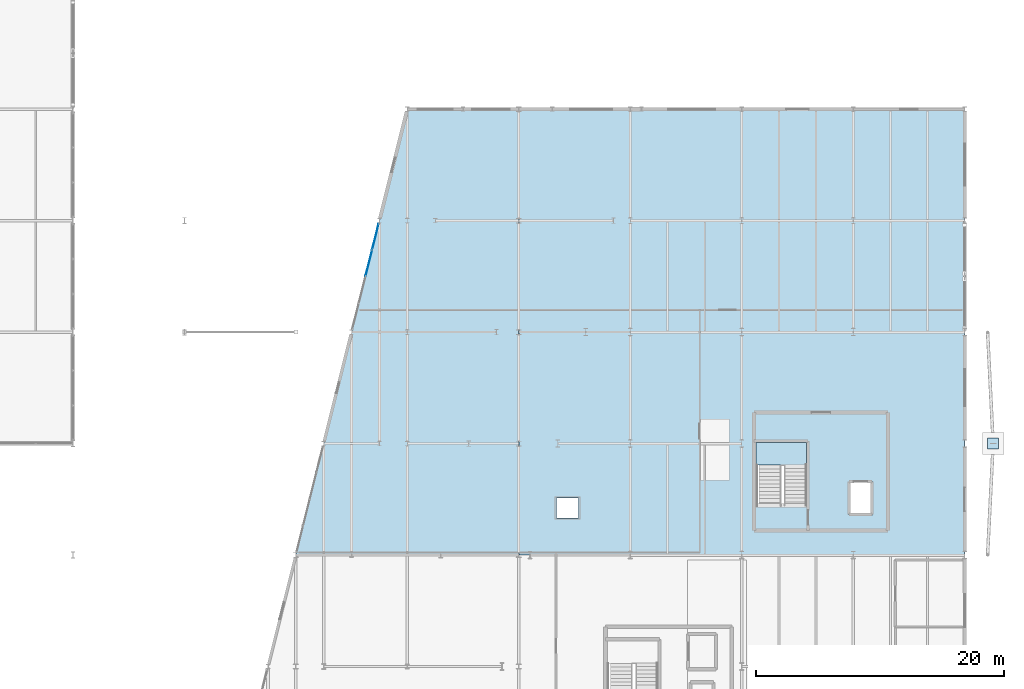
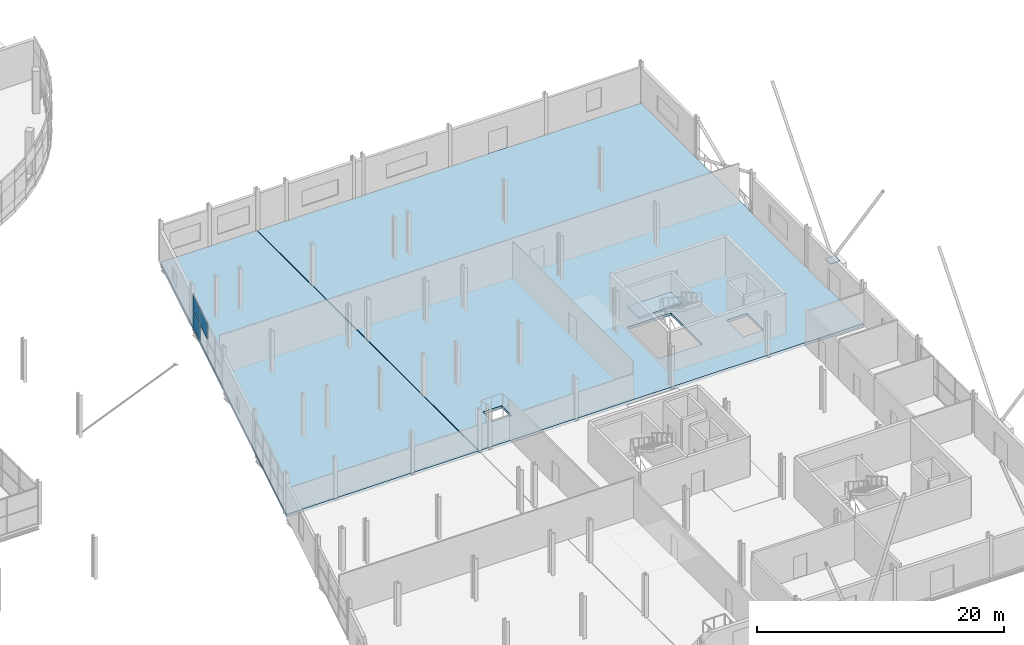
# One storey, part 107 of 140: 4 plates, 3 slabs, 2 elements without a shape of their own.
"""IFC4 building model written with IfcOpenShell, lengths in metres."""

from ifc_helpers import new_model, si_unit, direction, frame, origin, origin_2d, place, context, subcontext, project, spatial, polyline, rectangle, outline, extrude, material, layer, layer_set, type_object, element, aggregate, save


model = new_model("IFC4")

# Units and contexts
model_context = context("Model", 3, precision=1e-05, world=origin(), true_north=direction((0.0, 1.0)))
body_context = subcontext(model_context, "Body", "Model", "MODEL_VIEW")
ifc_project = project(units=[si_unit("LENGTHUNIT", "METRE"), si_unit("AREAUNIT", "SQUARE_METRE"), si_unit("VOLUMEUNIT", "CUBIC_METRE"), si_unit("PLANEANGLEUNIT", "RADIAN"), si_unit("MASSUNIT", "GRAM", prefix="KILO")], contexts=[model_context])

# Site, building, storey
site_placement = place(None, origin())
site = spatial("IfcSite", under=ifc_project, at=site_placement, CompositionType="ELEMENT")
building_placement = place(site_placement, origin())
building = spatial("IfcBuilding", under=site, at=building_placement, Name="Deido Ridge Mobility Hub", CompositionType="ELEMENT")
storey_placement = place(building_placement, origin())
storey = spatial("IfcBuildingStorey", under=building, at=storey_placement, Name="L00", CompositionType="ELEMENT", Elevation=0.0)

# Curtain wall, plates
ifc_material_1 = material(Name="Anodised aluminium EN AW-6063 T6", Category="aluminium")
ifc_layer_1 = layer(ifc_material_1, 0.2099609375, Name="Anodised aluminium EN AW-6063 T6")
ifc_layer_set_1 = layer_set([ifc_layer_1], Name="Anodised aluminium EN AW-6063 T6")
curtain_wall_type = type_object("IfcCurtainWallType", Name="CW-UF-4", PredefinedType="USERDEFINED", material=ifc_layer_set_1)
curtain_wall_placement = place(storey_placement, origin())
curtain_wall = element("IfcCurtainWall", 1, at=curtain_wall_placement, inside=storey, type_object=curtain_wall_type, Name="Unitised curtain wall CW4", ObjectType="UNITISED FACADE", PredefinedType="USERDEFINED")
ifc_material_2 = material(Name="Laminated solar-control low-E glass", Category="glass")
ifc_layer_2 = layer(ifc_material_2, 0.031005859375, Name="Laminated solar-control low-E glass")
ifc_layer_set_2 = layer_set([ifc_layer_2], Name="Laminated solar-control low-E glass")
plate_type_1 = type_object("IfcPlateType", Name="PLT-CWP-31", PredefinedType="CURTAIN_PANEL", material=ifc_layer_set_2)
plate_1_placement = place(storey_placement, frame((131.8935546875, 59.57373046875, 1.6923828125), z_axis=(0.0, 0.0, 1.0), x_axis=(0.242530310632, 0.970143828731, 0.0)))
plate_1 = element("IfcPlate", 2, at=plate_1_placement, type_object=plate_type_1, Name="CW4 panel 3.2", PredefinedType="CURTAIN_PANEL", context=body_context, shape_type="SweptSolid", body=[
    extrude(rectangle(XDim=2.15380859375, YDim=0.031005859375, at=origin_2d()), origin(), (0.0, 0.0, 1.0), 1.572509765625),
])
plate_2_placement = place(storey_placement, frame((132.4267578125, 61.70703125, 0.06005859375), z_axis=(0.0, 0.0, 1.0), x_axis=(0.242530310632, 0.970143828731, 0.0)))
plate_2 = element("IfcPlate", 3, at=plate_2_placement, type_object=plate_type_1, Name="CW4 panel 4.1", PredefinedType="CURTAIN_PANEL", context=body_context, shape_type="SweptSolid", body=[
    extrude(rectangle(XDim=2.123779296875, YDim=0.031005859375, at=origin_2d()), origin(), (0.0, 0.0, 1.0), 1.572509765625),
])
plate_3_placement = place(storey_placement, frame((132.4267578125, 61.70703125, 1.6923828125), z_axis=(0.0, 0.0, 1.0), x_axis=(0.242530310632, 0.970143828731, 0.0)))
plate_3 = element("IfcPlate", 4, at=plate_3_placement, type_object=plate_type_1, Name="CW4 panel 4.2", PredefinedType="CURTAIN_PANEL", context=body_context, shape_type="SweptSolid", body=[
    extrude(rectangle(XDim=2.123779296875, YDim=0.031005859375, at=origin_2d()), origin(), (0.0, 0.0, 1.0), 1.572509765625),
])
aggregate(curtain_wall, [plate_1, plate_2, plate_3])

# Plate
ifc_material_3 = material(Name="Steel S355J2 EN 10025-2", Category="steel")
ifc_layer_3 = layer(ifc_material_3, 0.0400390625, Name="Steel S355J2 EN 10025-2")
ifc_layer_set_3 = layer_set([ifc_layer_3], Name="Steel S355J2 EN 10025-2")
plate_type_2 = type_object("IfcPlateType", Name="PLT-SHT-40", PredefinedType="SHEET", material=ifc_layer_set_3)
plate_4_placement = place(storey_placement, frame((182.300048828125, 45.0, 0.0), z_axis=(0.0, 0.0, 1.0), x_axis=(1.0, 0.0, 0.0)))
element("IfcPlate", 5, at=plate_4_placement, inside=storey, type_object=plate_type_2, Name="Exoskeleton V-strut base plate BP2 142", PredefinedType="SHEET", context=body_context, shape_type="SweptSolid", body=[
    extrude(rectangle(XDim=0.89990234375, YDim=0.89990234375, at=origin_2d()), origin(), (0.0, 0.0, 1.0), 0.0400390625),
])

# Slabs
ifc_material_4 = material(Name="Concrete C35/45", Category="concrete")
ifc_layer_4 = layer(ifc_material_4, 0.260009765625, Name="Concrete C35/45")
ifc_layer_set_4 = layer_set([ifc_layer_4], Name="Concrete C35/45")
slab_type_1 = type_object("IfcSlabType", Name="SLB-FLR-260", PredefinedType="FLOOR", material=ifc_layer_set_4)
slab_1_placement = place(storey_placement, frame((0.0, 0.0, -0.260009765625)))
element("IfcSlab", 6, at=slab_1_placement, inside=storey, type_object=slab_type_1, Name="L00 V6 structural deck 21", PredefinedType="FLOOR", context=body_context, shape_type="SweptSolid", body=[
    extrude(outline(polyline([(143.97509765625, 72.0), (143.97509765625, 36.0), (126.0, 36.0), (135.0, 72.0), (143.97509765625, 72.0)])), origin(), (0.0, 0.0, 1.0), 0.260009765625),
])
slab_2_placement = place(storey_placement, frame((0.0, 0.0, -0.260009765625)))
element("IfcSlab", 7, at=slab_2_placement, inside=storey, type_object=slab_type_1, Name="L00 V6 structural deck 22", PredefinedType="FLOOR", context=body_context, shape_type="SweptSolid", body=[
    extrude(outline(polyline([(180.0, 72.0), (180.0, 36.0), (144.02490234375, 36.0), (144.02490234375, 72.0), (180.0, 72.0)]), holes=[polyline([(147.02490234375, 39.0), (147.02490234375, 40.60009765625), (148.824951171875, 40.60009765625), (148.824951171875, 39.0), (147.02490234375, 39.0)]), polyline([(170.64990234375, 41.949951171875), (172.550048828125, 41.949951171875), (172.550048828125, 39.25), (170.64990234375, 39.25), (170.64990234375, 41.949951171875)]), polyline([(163.139892578125, 45.10009765625), (167.239990234375, 45.10009765625), (167.239990234375, 40.0), (163.139892578125, 40.0), (163.139892578125, 45.10009765625)])]), origin(), (0.0, 0.0, 1.0), 0.260009765625),
])

# Stair, slab
stair_type = type_object("IfcStairType", Name="ST-CORE-HALF-1520", PredefinedType="HALF_TURN_STAIR", material=ifc_material_4)
stair_placement = place(storey_placement, origin())
stair = element("IfcStair", 8, at=stair_placement, inside=storey, type_object=stair_type, Name="Protected exit stair ST2 (L00)", PredefinedType="HALF_TURN_STAIR")
ifc_layer_5 = layer(ifc_material_4, 0.199951171875, Name="Concrete C35/45")
ifc_layer_set_5 = layer_set([ifc_layer_5], Name="Concrete C35/45")
slab_type_2 = type_object("IfcSlabType", Name="SLB-STLND-200", PredefinedType="LANDING", material=ifc_layer_set_5)
slab_3_placement = place(storey_placement, frame((0.0, 0.0, 1.89990234375)))
slab_3 = element("IfcSlab", 9, at=slab_3_placement, type_object=slab_type_2, Name="ST2 landing 1", PredefinedType="LANDING", context=body_context, shape_type="SweptSolid", body=[
    extrude(outline(polyline([(163.16259765625, 43.25), (167.235107421875, 43.25), (167.235107421875, 45.074951171875), (163.16259765625, 45.074951171875), (163.16259765625, 43.25)])), origin(), (0.0, 0.0, 1.0), 0.2001953125),
])
aggregate(stair, [slab_3])

save(model, "model.ifc")
